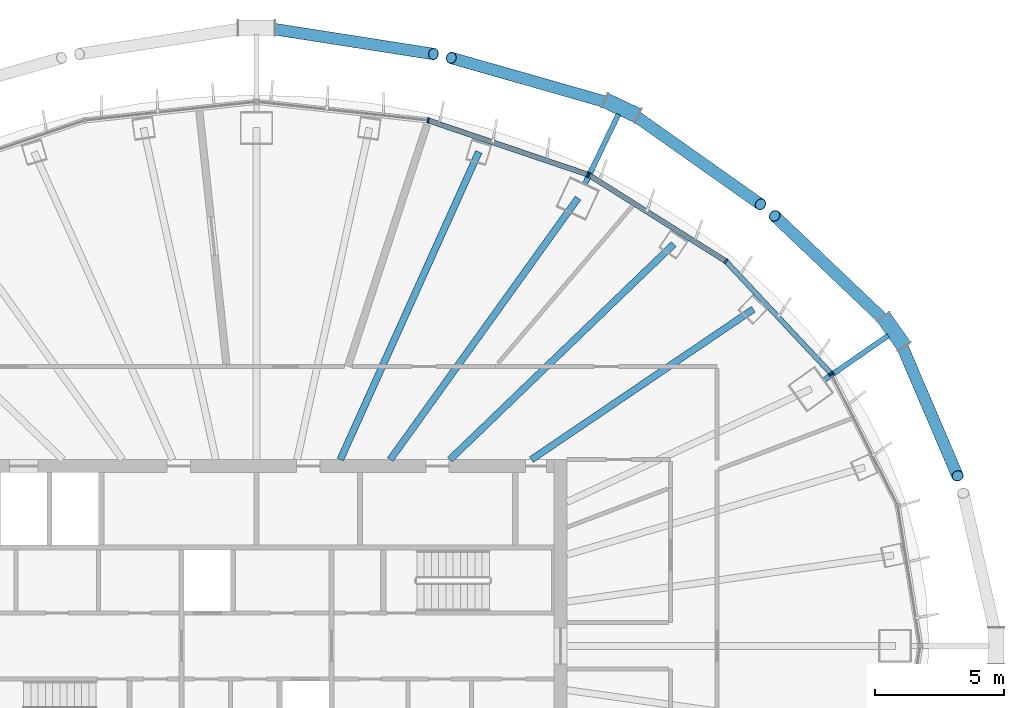
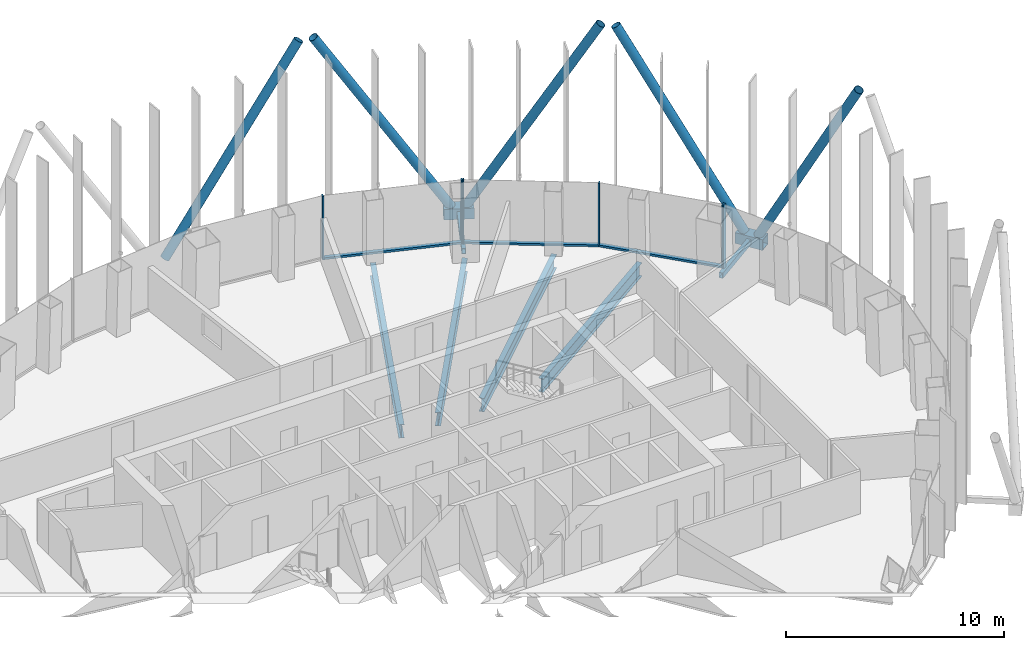
# One storey, part 7 of 20: 18 members, 4 beams, 3 elements without a shape of their own.
"""IFC4 building model written with IfcOpenShell, lengths in metres."""

from ifc_helpers import new_model, si_unit, direction, frame, origin, origin_2d, place, context, subcontext, project, spatial, rectangle, hollow_rectangle, hollow_circle, i_section, extrude, material, layer, layer_set, material_profile, profile_set, type_object, element, aggregate, save


model = new_model("IFC4")

# Units and contexts
model_context = context("Model", 3, precision=1e-05, world=origin(), true_north=direction((0.0, 1.0)))
body_context = subcontext(model_context, "Body", "Model", "MODEL_VIEW")
ifc_project = project(units=[si_unit("LENGTHUNIT", "METRE"), si_unit("AREAUNIT", "SQUARE_METRE"), si_unit("VOLUMEUNIT", "CUBIC_METRE"), si_unit("PLANEANGLEUNIT", "RADIAN"), si_unit("MASSUNIT", "GRAM", prefix="KILO")], contexts=[model_context])

# Site, building, storey
site_placement = place(None, origin())
site = spatial("IfcSite", under=ifc_project, at=site_placement, CompositionType="ELEMENT")
building_placement = place(site_placement, origin())
building = spatial("IfcBuilding", under=site, at=building_placement, Name="Siaravel Broadcast Tower", CompositionType="ELEMENT")
storey_placement = place(building_placement, frame((0.0, 0.0, 108.199951171875)))
storey = spatial("IfcBuildingStorey", under=building, at=storey_placement, Name="L25", CompositionType="ELEMENT", Elevation=108.199951171875)

# Beams
ifc_material_1 = material(Name="Steel S355", Category="steel")
ifc_material_profile_1 = material_profile(ifc_material_1, i_section(OverallWidth=0.26513671875, OverallDepth=0.75390625, WebThickness=0.0126953125, FlangeThickness=0.017578125, FilletRadius=0.0166015625, at=origin_2d()))
ifc_profile_set_1 = profile_set([ifc_material_profile_1], Name="Steel S355")
beam_type = type_object("IfcBeamType", Name="BM-UB 762x267x147", PredefinedType="BEAM", material=ifc_profile_set_1)
beam_1_placement = place(storey_placement, frame((19.203125, 13.01025390625, -0.52685546875), z_axis=(-0.827882681, -0.560901299, 0.0), x_axis=(0.560901299, -0.827882681, 0.0)))
element("IfcBeam", 1, at=beam_1_placement, inside=storey, type_object=beam_type, Name="Radial beam RB05", PredefinedType="BEAM", context=body_context, shape_type="SweptSolid", body=[
    extrude(i_section(OverallWidth=0.26513671875, OverallDepth=0.75390625, WebThickness=0.0126953125, FlangeThickness=0.017578125, FilletRadius=0.0166015625, at=origin_2d()), origin(), (0.0, 0.0, 1.0), 10.35888671875),
])
beam_2_placement = place(storey_placement, frame((16.129150390625, 15.528076171875, -0.52685546875), z_axis=(-0.720398468, -0.693560413, 0.0), x_axis=(0.693560413, -0.720398468, 0.0)))
element("IfcBeam", 2, at=beam_2_placement, inside=storey, type_object=beam_type, Name="Radial beam RB06", PredefinedType="BEAM", context=body_context, shape_type="SweptSolid", body=[
    extrude(i_section(OverallWidth=0.26513671875, OverallDepth=0.75390625, WebThickness=0.0126953125, FlangeThickness=0.017578125, FilletRadius=0.0166015625, at=origin_2d()), origin(), (0.0, 0.0, 1.0), 12.0078125),
])
beam_3_placement = place(storey_placement, frame((12.428466796875, 17.305419921875, -0.52685546875), z_axis=(-0.583331946, -0.812233858, 0.0), x_axis=(0.812233858, -0.583331946, 0.0)))
element("IfcBeam", 3, at=beam_3_placement, inside=storey, type_object=beam_type, Name="Radial beam RB07", PredefinedType="BEAM", context=body_context, shape_type="SweptSolid", body=[
    extrude(i_section(OverallWidth=0.26513671875, OverallDepth=0.75390625, WebThickness=0.0126953125, FlangeThickness=0.017578125, FilletRadius=0.0166015625, at=origin_2d()), origin(), (0.0, 0.0, 1.0), 12.441650390625),
])
beam_4_placement = place(storey_placement, frame((8.5947265625, 19.090087890625, -0.52685546875), z_axis=(-0.410521929, -0.911850725, 0.0), x_axis=(0.911850725, -0.410521929, 0.0)))
element("IfcBeam", 4, at=beam_4_placement, inside=storey, type_object=beam_type, Name="Radial beam RB08", PredefinedType="BEAM", context=body_context, shape_type="SweptSolid", body=[
    extrude(i_section(OverallWidth=0.26513671875, OverallDepth=0.75390625, WebThickness=0.0126953125, FlangeThickness=0.017578125, FilletRadius=0.0166015625, at=origin_2d()), origin(), (0.0, 0.0, 1.0), 13.03955078125),
])

# Curtain wall, member
ifc_material_2 = material(Name="Aluminium 6063-T6", Category="aluminium")
ifc_layer = layer(ifc_material_2, 0.199951171875)
ifc_layer_set = layer_set([ifc_layer], Name="Aluminium 6063-T6")
curtain_wall_type = type_object("IfcCurtainWallType", Name="Unitised curtain wall, zone 2", PredefinedType="NOTDEFINED", material=ifc_layer_set)
curtain_wall_1_placement = place(storey_placement, origin())
curtain_wall_1 = element("IfcCurtainWall", 5, at=curtain_wall_1_placement, inside=storey, type_object=curtain_wall_type, Name="L25 Unitised curtain wall, zone 2 01", PredefinedType="NOTDEFINED")
ifc_material_profile_2 = material_profile(ifc_material_2, rectangle(XDim=0.199951171875, YDim=0.06494140625, at=origin_2d()))
ifc_profile_set_2 = profile_set([ifc_material_profile_2], Name="Aluminium 6063-T6")
member_type_1 = type_object("IfcMemberType", Name="CW-Z2 mullion", PredefinedType="MULLION", material=ifc_profile_set_2)
member_1_placement = place(storey_placement, frame((22.23046875, 10.486572265625, 0.0), z_axis=(0.0, 0.0, 1.0), x_axis=(-0.892391899, -0.451261231, 0.0)))
member_1 = element("IfcMember", 6, at=member_1_placement, type_object=member_type_1, Name="CW-Z2 mullion 3", PredefinedType="MULLION", context=body_context, shape_type="SweptSolid", body=[
    extrude(rectangle(XDim=0.199951171875, YDim=0.06494140625, at=origin_2d()), origin(), (0.0, 0.0, 1.0), 3.550048828125),
])
aggregate(curtain_wall_1, [member_1])

# Curtain wall, members
curtain_wall_2_placement = place(storey_placement, origin())
curtain_wall_2 = element("IfcCurtainWall", 7, at=curtain_wall_2_placement, inside=storey, type_object=curtain_wall_type, Name="L25 Unitised curtain wall, zone 2 02", PredefinedType="NOTDEFINED")
member_2_placement = place(storey_placement, frame((22.193603515625, 10.539306640625, 0.0), z_axis=(0.0, 0.0, 1.0), x_axis=(-0.729804977, -0.683655392, 0.0)))
member_2 = element("IfcMember", 8, at=member_2_placement, type_object=member_type_1, Name="CW-Z2 mullion 1", PredefinedType="MULLION", context=body_context, shape_type="SweptSolid", body=[
    extrude(rectangle(XDim=0.199951171875, YDim=0.06494140625, at=origin_2d()), origin(), (0.0, 0.0, 1.0), 3.550048828125),
])
member_3_placement = place(storey_placement, frame((18.137451171875, 14.869384765625, 0.0), z_axis=(0.0, 0.0, 1.0), x_axis=(-0.63621839, -0.771509015, 0.0)))
member_3 = element("IfcMember", 9, at=member_3_placement, type_object=member_type_1, Name="CW-Z2 mullion 2", PredefinedType="MULLION", context=body_context, shape_type="SweptSolid", body=[
    extrude(rectangle(XDim=0.199951171875, YDim=0.06494140625, at=origin_2d()), origin(), (0.0, 0.0, 1.0), 3.550048828125),
])
member_4_placement = place(storey_placement, frame((12.8515625, 18.191650390625, 0.0), z_axis=(0.0, 0.0, 1.0), x_axis=(-0.532149019, -0.846650708, 0.0)))
member_4 = element("IfcMember", 10, at=member_4_placement, type_object=member_type_1, Name="CW-Z2 mullion 3", PredefinedType="MULLION", context=body_context, shape_type="SweptSolid", body=[
    extrude(rectangle(XDim=0.199951171875, YDim=0.06494140625, at=origin_2d()), origin(), (0.0, 0.0, 1.0), 3.550048828125),
])

curtain_wall_3_placement = place(storey_placement, origin())
curtain_wall_3 = element("IfcCurtainWall", 11, at=curtain_wall_3_placement, inside=storey, type_object=curtain_wall_type, Name="L25 Unitised curtain wall, zone 2 03", PredefinedType="NOTDEFINED")
member_5_placement = place(storey_placement, frame((12.793212890625, 18.21923828125, 0.0), z_axis=(0.0, 0.0, 1.0), x_axis=(-0.321300513, -0.946977286, 0.0)))
member_5 = element("IfcMember", 12, at=member_5_placement, type_object=member_type_1, Name="CW-Z2 mullion 1", PredefinedType="MULLION", context=body_context, shape_type="SweptSolid", body=[
    extrude(rectangle(XDim=0.199951171875, YDim=0.06494140625, at=origin_2d()), origin(), (0.0, 0.0, 1.0), 3.550048828125),
])
member_6_placement = place(storey_placement, frame((6.637939453125, 20.307861328125, 0.0), z_axis=(0.0, 0.0, 1.0), x_axis=(-0.215557996, -0.97649104, 0.0)))
member_6 = element("IfcMember", 13, at=member_6_placement, type_object=member_type_1, Name="CW-Z2 mullion 2", PredefinedType="MULLION", context=body_context, shape_type="SweptSolid", body=[
    extrude(rectangle(XDim=0.199951171875, YDim=0.06494140625, at=origin_2d()), origin(), (0.0, 0.0, 1.0), 3.550048828125),
])

# Member
ifc_material_profile_3 = material_profile(ifc_material_2, rectangle(XDim=0.199951171875, YDim=0.110107421875, at=origin_2d()))
ifc_profile_set_3 = profile_set([ifc_material_profile_3], Name="Aluminium 6063-T6")
member_type_2 = type_object("IfcMemberType", Name="CW-Z2 transom", PredefinedType="USERDEFINED", material=ifc_profile_set_3)
member_7_placement = place(storey_placement, frame((22.17138671875, 10.56298828125, 0.054931640625), z_axis=(-0.683660134, 0.729800536, 0.0), x_axis=(-0.729800536, -0.683660134, 0.0)))
member_7 = element("IfcMember", 14, at=member_7_placement, type_object=member_type_2, Name="CW-Z2 transom 1", ObjectType="TRANSOM", PredefinedType="USERDEFINED", context=body_context, shape_type="SweptSolid", body=[
    extrude(rectangle(XDim=0.199951171875, YDim=0.110107421875, at=origin_2d()), origin(), (0.0, 0.0, 1.0), 5.867919921875),
])

member_8_placement = place(storey_placement, frame((18.10986328125, 14.886474609375, 0.054931640625), z_axis=(-0.846639093, 0.532167499, 0.0), x_axis=(-0.532167499, -0.846639093, 0.0)))
member_8 = element("IfcMember", 15, at=member_8_placement, type_object=member_type_2, Name="CW-Z2 transom 2", ObjectType="TRANSOM", PredefinedType="USERDEFINED", context=body_context, shape_type="SweptSolid", body=[
    extrude(rectangle(XDim=0.199951171875, YDim=0.110107421875, at=origin_2d()), origin(), (0.0, 0.0, 1.0), 6.17822265625),
])

aggregate(curtain_wall_2, [member_2, member_3, member_4, member_7, member_8])

member_9_placement = place(storey_placement, frame((12.762451171875, 18.229736328125, 0.054931640625), z_axis=(-0.946973753, 0.321310926, 0.0), x_axis=(-0.321310926, -0.946973753, 0.0)))
member_9 = element("IfcMember", 16, at=member_9_placement, type_object=member_type_2, Name="CW-Z2 transom 1", ObjectType="TRANSOM", PredefinedType="USERDEFINED", context=body_context, shape_type="SweptSolid", body=[
    extrude(rectangle(XDim=0.199951171875, YDim=0.110107421875, at=origin_2d()), origin(), (0.0, 0.0, 1.0), 6.43505859375),
])

aggregate(curtain_wall_3, [member_5, member_6, member_9])

# Members
ifc_material_3 = material(Name="Steel S460", Category="steel")
ifc_material_profile_4 = material_profile(ifc_material_3, hollow_circle(Radius=0.228515625, WallThickness=0.02001953125, at=origin_2d()))
ifc_profile_set_4 = profile_set([ifc_material_profile_4], Name="Steel S460")
member_type_3 = type_object("IfcMemberType", Name="Diagrid diagonal CHS 457x20", PredefinedType="BRACE", material=ifc_profile_set_4)
member_10_placement = place(storey_placement, frame((24.835205078125, 11.85498046875, 0.070068359375), z_axis=(0.187937879, -0.43953705, 0.878343062), x_axis=(0.919474293, 0.393150131, 0.0)))
element("IfcMember", 17, at=member_10_placement, inside=storey, type_object=member_type_3, Name="Diagrid diagonal R11 station 06C", PredefinedType="BRACE", context=body_context, shape_type="SweptSolid", body=[
    extrude(hollow_circle(Radius=0.228515625, WallThickness=0.02001953125, at=origin_2d()), origin(), (0.0, 0.0, 1.0), 12.022705078125),
])
member_11_placement = place(storey_placement, frame((24.430419921875, 12.42919921875, 0.070068359375), z_axis=(-0.361544187, 0.3438727, 0.866624121), x_axis=(-0.689176745, -0.724593275, 0.0)))
element("IfcMember", 18, at=member_11_placement, inside=storey, type_object=member_type_3, Name="Diagrid diagonal R11 station 06A", PredefinedType="BRACE", context=body_context, shape_type="SweptSolid", body=[
    extrude(hollow_circle(Radius=0.228515625, WallThickness=0.02001953125, at=origin_2d()), origin(), (0.0, 0.0, 1.0), 12.185302734375),
])
member_12_placement = place(storey_placement, frame((14.423828125, 20.636474609375, 0.070068359375), z_axis=(0.413154291, -0.2917967, 0.862646056), x_axis=(0.576892164, 0.816820318, 0.0)))
element("IfcMember", 19, at=member_12_placement, inside=storey, type_object=member_type_3, Name="Diagrid diagonal R11 station 12C", PredefinedType="BRACE", context=body_context, shape_type="SweptSolid", body=[
    extrude(hollow_circle(Radius=0.228515625, WallThickness=0.02001953125, at=origin_2d()), origin(), (0.0, 0.0, 1.0), 12.241455078125),
])
member_13_placement = place(storey_placement, frame((13.788818359375, 20.936767578125, 0.070068359375), z_axis=(-0.504693487, 0.143992913, 0.851205337), x_axis=(-0.274359589, -0.961627171, 0.0)))
element("IfcMember", 20, at=member_13_placement, inside=storey, type_object=member_type_3, Name="Diagrid diagonal R11 station 12A", PredefinedType="BRACE", context=body_context, shape_type="SweptSolid", body=[
    extrude(hollow_circle(Radius=0.228515625, WallThickness=0.02001953125, at=origin_2d()), origin(), (0.0, 0.0, 1.0), 12.406005859375),
])
member_14_placement = place(storey_placement, frame((0.351318359375, 23.88818359375, 0.070068359375), z_axis=(0.521854782, -0.081567416, 0.849125634), x_axis=(0.1544279, 0.988004061, 0.0)))
element("IfcMember", 21, at=member_14_placement, inside=storey, type_object=member_type_3, Name="Diagrid diagonal R11 station 18C", PredefinedType="BRACE", context=body_context, shape_type="SweptSolid", body=[
    extrude(hollow_circle(Radius=0.228515625, WallThickness=0.02001953125, at=origin_2d()), origin(), (0.0, 0.0, 1.0), 12.436279296875),
])
ifc_material_profile_5 = material_profile(ifc_material_3, hollow_rectangle(XDim=0.60009765625, YDim=0.60009765625, WallThickness=0.0400390625, at=origin_2d()))
ifc_profile_set_5 = profile_set([ifc_material_profile_5], Name="Steel S460")
member_type_4 = type_object("IfcMemberType", Name="Diagrid node BOX 600x600x40", PredefinedType="USERDEFINED", material=ifc_profile_set_5)
for number, where, z_axis, x_axis, name in (
    (22, (25.035888671875, 11.570068359375, -0.199951171875), (-0.576128367, 0.817359227, 0.0), (-0.817359227, -0.576128367, 0.0), "Diagrid node R11 station 06"),
    (23, (14.739013671875, 20.4873046875, -0.199951171875), (-0.904014668, 0.427501438, 0.0), (-0.427501438, -0.904014668, 0.0), "Diagrid node R11 station 12"),
):
    element("IfcMember", number, at=place(storey_placement, frame(where, z_axis=z_axis, x_axis=x_axis)), inside=storey, type_object=member_type_4, Name=name, ObjectType="DIAGRID NODE", PredefinedType="USERDEFINED", context=body_context, shape_type="SweptSolid", body=[
        extrude(hollow_rectangle(XDim=0.60009765625, YDim=0.60009765625, WallThickness=0.0400390625, at=origin_2d()), origin(), (0.0, 0.0, 1.0), 1.399658203125),
    ])
ifc_material_profile_6 = material_profile(ifc_material_3, hollow_rectangle(XDim=0.199951171875, YDim=0.300048828125, WallThickness=0.012451171875, at=origin_2d()))
ifc_profile_set_6 = profile_set([ifc_material_profile_6], Name="Steel S460")
member_type_5 = type_object("IfcMemberType", Name="Diagrid node arm RHS 300x200x12.5", PredefinedType="STRUT", material=ifc_profile_set_6)
member_15_placement = place(storey_placement, frame((21.93115234375, 10.2705078125, -0.199951171875), z_axis=(0.822031913, 0.569441423, 0.0), x_axis=(-0.569441423, 0.822031913, 0.0)))
element("IfcMember", 24, at=member_15_placement, inside=storey, type_object=member_type_5, Name="Node arm R11 station 06", PredefinedType="STRUT", context=body_context, shape_type="SweptSolid", body=[
    extrude(hollow_rectangle(XDim=0.199951171875, YDim=0.300048828125, WallThickness=0.012451171875, at=origin_2d()), origin(), (0.0, 0.0, 1.0), 3.0166015625),
])
member_16_placement = place(storey_placement, frame((12.686767578125, 17.841552734375, -0.199951171875), z_axis=(0.434175348, 0.900828379, 0.0), x_axis=(-0.900828379, 0.434175348, 0.0)))
element("IfcMember", 25, at=member_16_placement, inside=storey, type_object=member_type_5, Name="Node arm R11 station 12", PredefinedType="STRUT", context=body_context, shape_type="SweptSolid", body=[
    extrude(hollow_rectangle(XDim=0.199951171875, YDim=0.300048828125, WallThickness=0.012451171875, at=origin_2d()), origin(), (0.0, 0.0, 1.0), 2.999267578125),
])

save(model, "model.ifc")
